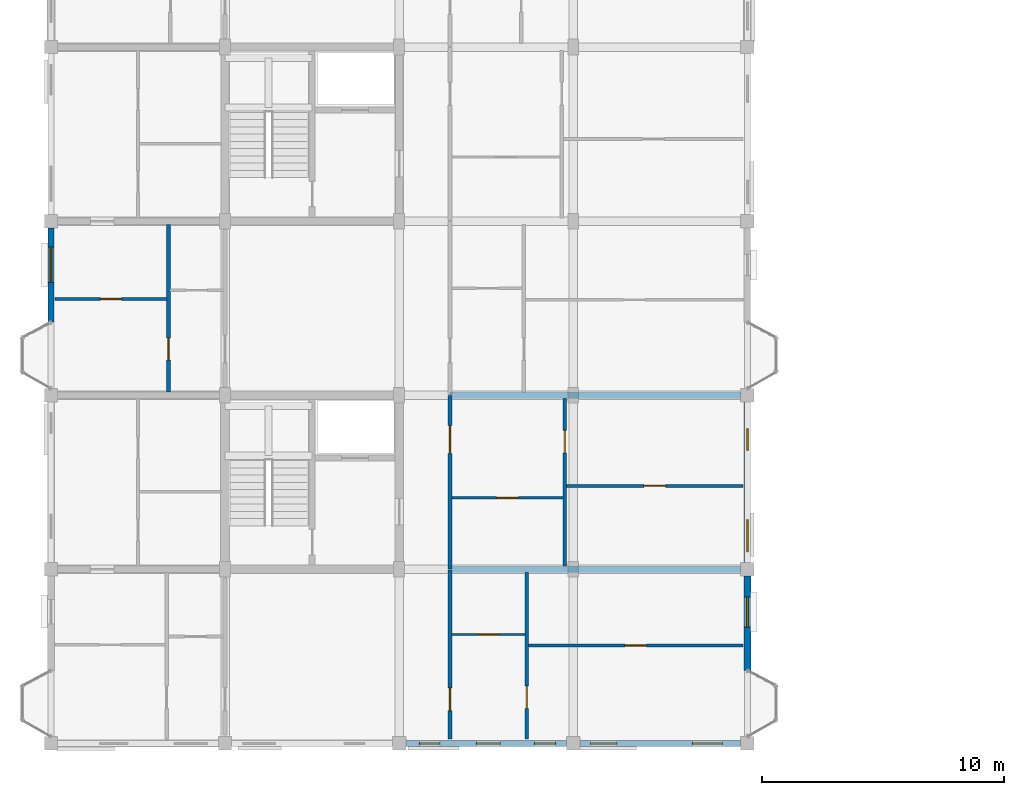
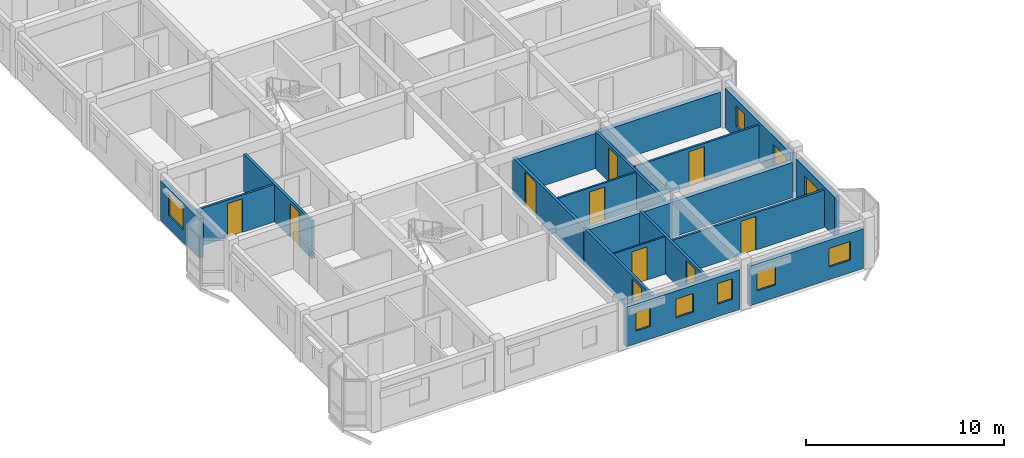
# One storey, part 51 of 77: 17 walls, 10 doors, 9 windows, 19 openings.
"""IFC4 building model written with IfcOpenShell, lengths in metres."""

import ifcopenshell
import ifcopenshell.guid

model = None  # the IFC model being written
_history = None  # IfcOwnerHistory: only IFC2X3 demands one
_inside = {}  # id of a spatial element -> (the spatial element, [elements in it])
_under = {}  # id of a project, library or spatial element -> (it, [spatial elements below it])
_declared = {}  # id of a project -> (the project, [libraries it declares])
_typed = {}  # id of a type object -> (the type object, [elements of that type])
_made_of = {}  # id of a material, layer set ... -> (it, [elements and type objects made of it])


def new_model(schema):
    """Start an empty IFC model of exactly this schema.

    Asked for "IFC4X3", IfcOpenShell would pick the latest addendum, in which some entities
    have other attributes; the version numbers below select the first issue.
    IFC2X3 requires an IfcOwnerHistory on every rooted entity: one is made here for all.
    """
    global model, _history
    if schema == "IFC4X3":
        model = ifcopenshell.file(schema_version=(4, 3, 0, 0))
    else:
        model = ifcopenshell.file(schema=schema)
    _inside.clear()
    _under.clear()
    _declared.clear()
    _typed.clear()
    _made_of.clear()
    _history = None
    if model.schema == "IFC2X3":
        org = make("IfcOrganization", Name="unknown")
        user = make(
            "IfcPersonAndOrganization",
            ThePerson=make("IfcPerson", FamilyName="unknown"),
            TheOrganization=org,
        )
        app = make(
            "IfcApplication",
            ApplicationDeveloper=org,
            Version="unknown",
            ApplicationFullName="unknown",
            ApplicationIdentifier="unknown",
        )
        _history = make(
            "IfcOwnerHistory",
            OwningUser=user,
            OwningApplication=app,
            ChangeAction="ADDED",
            CreationDate=0,
        )
    return model


def make(cls, **values):
    """One entity of the class cls with the attributes given. An attribute that is None is left unset."""
    return model.create_entity(
        cls, **{name: value for name, value in values.items() if value is not None}
    )


def rooted(cls, **values):
    """An entity with a GlobalId (a new one), such as an element, a storey or a relation."""
    return make(cls, GlobalId=ifcopenshell.guid.new(), OwnerHistory=_history, **values)


def si_unit(unit_type, name, prefix=None):
    """IfcSIUnit, for example si_unit("LENGTHUNIT", "METRE", prefix="MILLI")."""
    return make("IfcSIUnit", UnitType=unit_type, Prefix=prefix, Name=name)


def assignment(units):
    """IfcUnitAssignment: the units of a project."""
    return None if units is None else make("IfcUnitAssignment", Units=units)


def point(xyz):
    """IfcCartesianPoint."""
    return None if xyz is None else make("IfcCartesianPoint", Coordinates=xyz)


def direction(xyz):
    """IfcDirection."""
    return None if xyz is None else make("IfcDirection", DirectionRatios=xyz)


def frame(location, z_axis=None, x_axis=None):
    """IfcAxis2Placement3D, a coordinate frame: its origin and axes. An axis left out is left unset."""
    return make(
        "IfcAxis2Placement3D",
        Location=point(location),
        Axis=direction(z_axis),
        RefDirection=direction(x_axis),
    )


def frame_2d(location, x_axis=None):
    """IfcAxis2Placement2D, a coordinate frame in the plane: its origin and x axis."""
    return make(
        "IfcAxis2Placement2D", Location=point(location), RefDirection=direction(x_axis)
    )


def origin():
    """The frame at (0, 0, 0) with its axes left unset."""
    return frame((0.0, 0.0, 0.0))


def place(relative_to, where):
    """IfcLocalPlacement: puts the frame where relative to a parent placement (None: the world)."""
    return make(
        "IfcLocalPlacement", PlacementRelTo=relative_to, RelativePlacement=where
    )


def context(
    kind, dimensions, precision=None, world=None, true_north=None, identifier=None
):
    """IfcGeometricRepresentationContext, for example the 3D "Model" context."""
    return make(
        "IfcGeometricRepresentationContext",
        ContextIdentifier=identifier,
        ContextType=kind,
        CoordinateSpaceDimension=dimensions,
        Precision=precision,
        WorldCoordinateSystem=world,
        TrueNorth=true_north,
    )


def subcontext(parent, identifier, kind, view, scale=None):
    """IfcGeometricRepresentationSubContext, for example "Body" below "Model"."""
    return make(
        "IfcGeometricRepresentationSubContext",
        ContextIdentifier=identifier,
        ContextType=kind,
        ParentContext=parent,
        TargetScale=scale,
        TargetView=view,
    )


def project(units=None, contexts=None):
    """IfcProject with its units and contexts."""
    return rooted(
        "IfcProject",
        Name="project",
        RepresentationContexts=contexts,
        UnitsInContext=assignment(units),
    )


def spatial(cls, under=None, at=None, **own):
    """A site, building, storey or space (cls), placed at a placement, below another one or the project."""
    s = rooted(cls, ObjectPlacement=at, **own)
    if under is not None:
        _under.setdefault(under.id(), (under, []))[1].append(s)
    return s


def profile(cls, at=None, kind="AREA", **sizes):
    """A parametric profile (cls). Its sizes go by their IFC names, for example OverallWidth=200.0."""
    return make(cls, ProfileType=kind, Position=at, **sizes)


def rectangle(**sizes):
    """IfcRectangleProfileDef."""
    return profile("IfcRectangleProfileDef", **sizes)


def extrude(swept, where, along, depth):
    """IfcExtrudedAreaSolid: the profile swept, set in the frame where, extruded along a direction by depth."""
    return make(
        "IfcExtrudedAreaSolid",
        SweptArea=swept,
        Position=where,
        ExtrudedDirection=direction(along),
        Depth=depth,
    )


def shape(context_of_items, identifier, shape_type, items):
    """IfcShapeRepresentation: the items that make up one representation, for example the "Body"."""
    return make(
        "IfcShapeRepresentation",
        ContextOfItems=context_of_items,
        RepresentationIdentifier=identifier,
        RepresentationType=shape_type,
        Items=items,
    )


def material(Name=None, Category=None):
    """IfcMaterial."""
    return make("IfcMaterial", Name=Name, Category=Category)


def layer(
    of_material, thickness, ventilated=None, Name=None, Category=None, Priority=None
):
    """IfcMaterialLayer: one layer of a wall or slab, of a material (None: an air gap)."""
    return make(
        "IfcMaterialLayer",
        Material=of_material,
        LayerThickness=thickness,
        IsVentilated=ventilated,
        Name=Name,
        Category=Category,
        Priority=Priority,
    )


def layer_set(layers, Name=None):
    """IfcMaterialLayerSet."""
    return make("IfcMaterialLayerSet", MaterialLayers=layers, LayerSetName=Name)


def made_of(thing, what):
    """Note that an element or type object is made of a material, layer set ...; save() writes the relation."""
    if what is not None:
        _made_of.setdefault(what.id(), (what, []))[1].append(thing)
    return thing


def type_object(cls, material=None, **own):
    """A type object (cls), such as IfcWallType, which elements share."""
    return made_of(rooted(cls, **own), material)


def element(
    cls,
    number,
    at=None,
    inside=None,
    cuts=None,
    type_object=None,
    material=None,
    context=None,
    identifier="Body",
    shape_type=None,
    held_by="IfcProductDefinitionShape",
    body=None,
    shapes=None,
    **own,
):
    """One element of the class cls, such as IfcWall. Its Tag is "e" and its number.

    at: its placement. inside: the storey or other place that contains it. cuts: it is an
    opening in that element (IfcRelVoidsElement). A single representation is given by context,
    identifier, shape_type and body (its items); several are given by shapes. held_by: the class
    of the entity that holds the representations. save() writes the other relations.
    """
    e = rooted(cls, Tag="e%d" % number, ObjectPlacement=at, **own)
    if body is not None:
        shapes = [shape(context, identifier, shape_type, body)]
    if shapes is not None:
        e.Representation = make(held_by, Representations=shapes)
    if inside is not None:
        _inside.setdefault(inside.id(), (inside, []))[1].append(e)
    if cuts is not None:
        rooted(
            "IfcRelVoidsElement", RelatingBuildingElement=cuts, RelatedOpeningElement=e
        )
    if type_object is not None:
        _typed.setdefault(type_object.id(), (type_object, []))[1].append(e)
    return made_of(e, material)


def fill(opening, filler):
    """IfcRelFillsElement: the door or window that sits in an opening."""
    return rooted(
        "IfcRelFillsElement",
        RelatingOpeningElement=opening,
        RelatedBuildingElement=filler,
    )


def aggregate(whole, parts):
    """IfcRelAggregates: a whole, such as a stair, and the parts it consists of."""
    return rooted("IfcRelAggregates", RelatingObject=whole, RelatedObjects=parts)


def save(model, path):
    """Write the relations noted so far, then the file.

    IfcRelAggregates (storeys below a building ...), IfcRelContainedInSpatialStructure (elements
    in a storey), IfcRelDefinesByType, IfcRelAssociatesMaterial and IfcRelDeclares: one each for
    every whole, place, type object, material and project.
    """
    for whole, parts in _under.values():
        aggregate(whole, parts)
    for where, things in _inside.values():
        rooted(
            "IfcRelContainedInSpatialStructure",
            RelatedElements=things,
            RelatingStructure=where,
        )
    for kind, things in _typed.values():
        rooted("IfcRelDefinesByType", RelatedObjects=things, RelatingType=kind)
    for what, things in _made_of.values():
        rooted("IfcRelAssociatesMaterial", RelatedObjects=things, RelatingMaterial=what)
    for by, libraries in _declared.values():
        rooted("IfcRelDeclares", RelatingContext=by, RelatedDefinitions=libraries)
    model.write(path)


model = new_model("IFC4")

# Units and contexts
model_context = context("Model", 3, precision=1e-05, world=origin(), true_north=direction((0.0, 1.0)))
body_context = subcontext(model_context, "Body", "Model", "MODEL_VIEW")
ifc_project = project(units=[si_unit("LENGTHUNIT", "METRE"), si_unit("AREAUNIT", "SQUARE_METRE"), si_unit("VOLUMEUNIT", "CUBIC_METRE"), si_unit("PLANEANGLEUNIT", "RADIAN"), si_unit("MASSUNIT", "GRAM", prefix="KILO"), si_unit("THERMODYNAMICTEMPERATUREUNIT", "KELVIN"), si_unit("POWERUNIT", "WATT")], contexts=[model_context])

# Site, building, storey
site_placement = place(None, origin())
site = spatial("IfcSite", under=ifc_project, at=site_placement, CompositionType="ELEMENT")
building_placement = place(site_placement, origin())
building = spatial("IfcBuilding", under=site, at=building_placement, Name="Tavuni Mirador Residences", CompositionType="ELEMENT")
storey_placement = place(building_placement, frame((0.0, 0.0, 10.800048828125)))
storey = spatial("IfcBuildingStorey", under=building, at=storey_placement, Name="L03", CompositionType="ELEMENT", Elevation=10.800048828125)

# Wall, opening, door
ifc_material_1 = material(Name="Precast concrete C40/50", Category="concrete")
ifc_layer_1 = layer(ifc_material_1, 0.1650390625, Name="Precast concrete C40/50", Category="concrete")
ifc_layer_set_1 = layer_set([ifc_layer_1], Name="Precast concrete C40/50")
wall_type_1 = type_object("IfcWallType", Name="WT-CORR165", PredefinedType="PARTITIONING", material=ifc_layer_set_1)
wall_1_placement = place(storey_placement, frame((20.10009765625, 7.375, 0.0), z_axis=(0.0, 0.0, 1.0), x_axis=(0.0, 1.0, 0.0)))
wall_1 = element("IfcWall", 1, at=wall_1_placement, inside=storey, type_object=wall_type_1, Name="CORW-BLK-A-L03-0-00", PredefinedType="PARTITIONING", context=body_context, shape_type="SweptSolid", body=[
    extrude(rectangle(XDim=7.0048828125, YDim=0.1650390625, at=frame_2d((3.50244140625, 0.0))), origin(), (0.0, 0.0, 1.0), 2.304931640625),
])
opening_1_placement = place(wall_1_placement, frame((1.175048828125, 0.0, 0.0)))
opening_1 = element("IfcOpeningElement", 2, at=opening_1_placement, cuts=wall_1, Name="Opening D-19", PredefinedType="OPENING", context=body_context, shape_type="SweptSolid", body=[
    extrude(rectangle(XDim=0.93994140625, YDim=2.1201171875, at=frame_2d((0.469970703125, 1.06005859375))), frame((0.0, 0.092529296875, 0.0), z_axis=(0.0, -1.0, 0.0), x_axis=(1.0, 0.0, 0.0)), (0.0, 0.0, 1.0), 0.18505859375),
])
ifc_material_2 = material(Name="Solid core iroko timber", Category="wood")
door_type_1 = type_object("IfcDoorType", Name="DT-FD60-940", OperationType="NOTDEFINED", PredefinedType="DOOR", material=ifc_material_2)
door_1_placement = place(opening_1_placement, origin())
door_1 = element("IfcDoor", 3, at=door_1_placement, inside=storey, type_object=door_type_1, Name="DR-2413", OperationType="SINGLE_SWING_RIGHT", OverallHeight=2.1201171875, OverallWidth=0.93994140625, PredefinedType="DOOR", context=body_context, shape_type="SweptSolid", body=[
    extrude(rectangle(XDim=0.93994140625, YDim=2.1201171875, at=frame_2d((0.469970703125, 1.06005859375))), frame((0.0, 0.02490234375, 0.0), z_axis=(0.0, -1.0, 0.0), x_axis=(1.0, 0.0, 0.0)), (0.0, 0.0, 1.0), 0.050048828125),
])
fill(opening_1, door_1)

wall_2_placement = place(storey_placement, frame((20.10009765625, 14.419921875, 0.0), z_axis=(0.0, 0.0, 1.0), x_axis=(0.0, 1.0, 0.0)))
wall_2 = element("IfcWall", 4, at=wall_2_placement, inside=storey, type_object=wall_type_1, Name="CORW-BLK-A-L03-0-01", PredefinedType="PARTITIONING", context=body_context, shape_type="SweptSolid", body=[
    extrude(rectangle(XDim=7.16015625, YDim=0.1650390625, at=frame_2d((3.580078125, 0.0))), origin(), (0.0, 0.0, 1.0), 2.304931640625),
])
opening_2_placement = place(wall_2_placement, frame((4.780029296875, 0.0, 0.0)))
opening_2 = element("IfcOpeningElement", 5, at=opening_2_placement, cuts=wall_2, Name="Opening D-20", PredefinedType="OPENING", context=body_context, shape_type="SweptSolid", body=[
    extrude(rectangle(XDim=1.139892578125, YDim=2.179931640625, at=frame_2d((0.56982421875, 1.08984375))), frame((0.0, 0.092529296875, 0.0), z_axis=(0.0, -1.0, 0.0), x_axis=(1.0, 0.0, 0.0)), (0.0, 0.0, 1.0), 0.18505859375),
])
door_type_2 = type_object("IfcDoorType", Name="DT-FD60-1140", OperationType="NOTDEFINED", PredefinedType="DOOR", material=ifc_material_2)
door_2_placement = place(opening_2_placement, origin())
door_2 = element("IfcDoor", 6, at=door_2_placement, inside=storey, type_object=door_type_2, Name="DR-2414", OperationType="SINGLE_SWING_LEFT", OverallHeight=2.179931640625, OverallWidth=1.139892578125, PredefinedType="DOOR", context=body_context, shape_type="SweptSolid", body=[
    extrude(rectangle(XDim=1.139892578125, YDim=2.179931640625, at=frame_2d((0.56982421875, 1.08984375))), frame((0.0, 0.02490234375, 0.0), z_axis=(0.0, -1.0, 0.0), x_axis=(1.0, 0.0, 0.0)), (0.0, 0.0, 1.0), 0.050048828125),
])
fill(opening_2, door_2)

# Wall, openings, windows
ifc_material_3 = material(Name="Sgraffito lime-rendered precast concrete C40/50", Category="concrete")
ifc_layer_2 = layer(ifc_material_3, 0.2451171875, Name="Sgraffito lime-rendered precast concrete C40/50", Category="concrete")
ifc_layer_set_2 = layer_set([ifc_layer_2], Name="Sgraffito lime-rendered precast concrete C40/50")
wall_type_2 = type_object("IfcWallType", Name="WT-EXT-PC245", PredefinedType="SOLIDWALL", material=ifc_layer_set_2)
wall_3_placement = place(storey_placement, frame((25.47509765625, 7.199951171875, 0.0), z_axis=(0.0, 0.0, 1.0), x_axis=(1.0, 0.0, 0.0)))
wall_3 = element("IfcWall", 7, at=wall_3_placement, inside=storey, type_object=wall_type_2, Name="EW-BLK-A-L03-S03", PredefinedType="SOLIDWALL", context=body_context, shape_type="SweptSolid", body=[
    extrude(rectangle(XDim=6.64990234375, YDim=0.2451171875, at=frame_2d((3.324951171875, 0.0))), origin(), (0.0, 0.0, 1.0), 2.43994140625),
])
opening_3_placement = place(wall_3_placement, frame((0.449951171875, 0.0, 0.780029296875)))
opening_3 = element("IfcOpeningElement", 8, at=opening_3_placement, cuts=wall_3, Name="Opening WN-04", PredefinedType="OPENING", context=body_context, shape_type="SweptSolid", body=[
    extrude(rectangle(XDim=1.080078125, YDim=1.14990234375, at=frame_2d((0.5400390625, 0.574951171875))), frame((0.0, 0.132568359375, 0.0), z_axis=(0.0, -1.0, 0.0), x_axis=(1.0, 0.0, 0.0)), (0.0, 0.0, 1.0), 0.26513671875),
])
opening_4_placement = place(wall_3_placement, frame((4.64990234375, 0.0, 0.780029296875)))
opening_4 = element("IfcOpeningElement", 9, at=opening_4_placement, cuts=wall_3, Name="Opening WN-06", PredefinedType="OPENING", context=body_context, shape_type="SweptSolid", body=[
    extrude(rectangle(XDim=1.239990234375, YDim=1.14990234375, at=frame_2d((0.6201171875, 0.574951171875))), frame((0.0, 0.132568359375, 0.0), z_axis=(0.0, -1.0, 0.0), x_axis=(1.0, 0.0, 0.0)), (0.0, 0.0, 1.0), 0.26513671875),
])
ifc_material_4 = material(Name="Laminated solar-control glass", Category="glass")
window_type_1 = type_object("IfcWindowType", Name="WNT-04", PartitioningType="SINGLE_PANEL", PredefinedType="WINDOW", material=ifc_material_4)
window_1_placement = place(opening_3_placement, origin())
window_1 = element("IfcWindow", 10, at=window_1_placement, inside=storey, type_object=window_type_1, Name="WIN-0120", OverallHeight=1.14990234375, OverallWidth=1.080078125, PartitioningType="SINGLE_PANEL", PredefinedType="WINDOW", context=body_context, shape_type="SweptSolid", body=[
    extrude(rectangle(XDim=1.080078125, YDim=1.14990234375, at=frame_2d((0.5400390625, 0.574951171875))), frame((0.0, 0.030029296875, 0.0), z_axis=(0.0, -1.0, 0.0), x_axis=(1.0, 0.0, 0.0)), (0.0, 0.0, 1.0), 0.06005859375),
])
fill(opening_3, window_1)
window_type_2 = type_object("IfcWindowType", Name="WNT-06", PartitioningType="SINGLE_PANEL", PredefinedType="WINDOW", material=ifc_material_4)
window_2_placement = place(opening_4_placement, origin())
window_2 = element("IfcWindow", 11, at=window_2_placement, inside=storey, type_object=window_type_2, Name="WIN-0121", OverallHeight=1.14990234375, OverallWidth=1.239990234375, PartitioningType="SINGLE_PANEL", PredefinedType="WINDOW", context=body_context, shape_type="SweptSolid", body=[
    extrude(rectangle(XDim=1.239990234375, YDim=1.14990234375, at=frame_2d((0.6201171875, 0.574951171875))), frame((0.0, 0.030029296875, 0.0), z_axis=(0.0, -1.0, 0.0), x_axis=(1.0, 0.0, 0.0)), (0.0, 0.0, 1.0), 0.06005859375),
])
fill(opening_4, window_2)

ifc_layer_3 = layer(ifc_material_3, 0.2548828125, Name="Sgraffito lime-rendered precast concrete C40/50", Category="concrete")
ifc_layer_set_3 = layer_set([ifc_layer_3], Name="Sgraffito lime-rendered precast concrete C40/50")
wall_type_3 = type_object("IfcWallType", Name="WT-EXT-PC255", PredefinedType="SOLIDWALL", material=ifc_layer_set_3)
wall_4_placement = place(storey_placement, frame((18.27490234375, 7.199951171875, 0.0), z_axis=(0.0, 0.0, 1.0), x_axis=(1.0, 0.0, 0.0)))
wall_4 = element("IfcWall", 12, at=wall_4_placement, inside=storey, type_object=wall_type_3, Name="EW-BLK-A-L03-S02", PredefinedType="SOLIDWALL", context=body_context, shape_type="SweptSolid", body=[
    extrude(rectangle(XDim=6.650146484375, YDim=0.2548828125, at=frame_2d((3.3251953125, 0.0))), origin(), (0.0, 0.0, 1.0), 2.43994140625),
])
opening_5_placement = place(wall_4_placement, frame((0.5576171875, 0.0, 0.780029296875)))
opening_5 = element("IfcOpeningElement", 13, at=opening_5_placement, cuts=wall_4, Name="Opening WN-01", PredefinedType="OPENING", context=body_context, shape_type="SweptSolid", body=[
    extrude(rectangle(XDim=0.85009765625, YDim=1.14990234375, at=frame_2d((0.425048828125, 0.574951171875))), frame((0.0, 0.137451171875, 0.0), z_axis=(0.0, -1.0, 0.0), x_axis=(1.0, 0.0, 0.0)), (0.0, 0.0, 1.0), 0.27490234375),
])
opening_6_placement = place(wall_4_placement, frame((2.9150390625, 0.0, 0.780029296875)))
opening_6 = element("IfcOpeningElement", 14, at=opening_6_placement, cuts=wall_4, Name="Opening WN-03", PredefinedType="OPENING", context=body_context, shape_type="SweptSolid", body=[
    extrude(rectangle(XDim=1.0, YDim=1.14990234375, at=frame_2d((0.5, 0.574951171875))), frame((0.0, 0.137451171875, 0.0), z_axis=(0.0, -1.0, 0.0), x_axis=(1.0, 0.0, 0.0)), (0.0, 0.0, 1.0), 0.27490234375),
])
opening_7_placement = place(wall_4_placement, frame((5.3173828125, 0.0, 0.780029296875)))
opening_7 = element("IfcOpeningElement", 15, at=opening_7_placement, cuts=wall_4, Name="Opening WN-09", PredefinedType="OPENING", context=body_context, shape_type="SweptSolid", body=[
    extrude(rectangle(XDim=0.8798828125, YDim=1.260009765625, at=frame_2d((0.43994140625, 0.6298828125))), frame((0.0, 0.137451171875, 0.0), z_axis=(0.0, -1.0, 0.0), x_axis=(1.0, 0.0, 0.0)), (0.0, 0.0, 1.0), 0.27490234375),
])
window_type_3 = type_object("IfcWindowType", Name="WNT-01", PartitioningType="SINGLE_PANEL", PredefinedType="WINDOW", material=ifc_material_4)
window_3_placement = place(opening_5_placement, origin())
window_3 = element("IfcWindow", 16, at=window_3_placement, inside=storey, type_object=window_type_3, Name="WIN-0117", OverallHeight=1.14990234375, OverallWidth=0.85009765625, PartitioningType="SINGLE_PANEL", PredefinedType="WINDOW", context=body_context, shape_type="SweptSolid", body=[
    extrude(rectangle(XDim=0.85009765625, YDim=1.14990234375, at=frame_2d((0.425048828125, 0.574951171875))), frame((0.0, 0.030029296875, 0.0), z_axis=(0.0, -1.0, 0.0), x_axis=(1.0, 0.0, 0.0)), (0.0, 0.0, 1.0), 0.06005859375),
])
fill(opening_5, window_3)
window_type_4 = type_object("IfcWindowType", Name="WNT-03", PartitioningType="SINGLE_PANEL", PredefinedType="WINDOW", material=ifc_material_4)
window_4_placement = place(opening_6_placement, origin())
window_4 = element("IfcWindow", 17, at=window_4_placement, inside=storey, type_object=window_type_4, Name="WIN-0118", OverallHeight=1.14990234375, OverallWidth=1.0, PartitioningType="SINGLE_PANEL", PredefinedType="WINDOW", context=body_context, shape_type="SweptSolid", body=[
    extrude(rectangle(XDim=1.0, YDim=1.14990234375, at=frame_2d((0.5, 0.574951171875))), frame((0.0, 0.030029296875, 0.0), z_axis=(0.0, -1.0, 0.0), x_axis=(1.0, 0.0, 0.0)), (0.0, 0.0, 1.0), 0.06005859375),
])
fill(opening_6, window_4)
window_type_5 = type_object("IfcWindowType", Name="WNT-09", PartitioningType="SINGLE_PANEL", PredefinedType="WINDOW", material=ifc_material_4)
window_5_placement = place(opening_7_placement, origin())
window_5 = element("IfcWindow", 18, at=window_5_placement, inside=storey, type_object=window_type_5, Name="WIN-0119", OverallHeight=1.260009765625, OverallWidth=0.8798828125, PartitioningType="SINGLE_PANEL", PredefinedType="WINDOW", context=body_context, shape_type="SweptSolid", body=[
    extrude(rectangle(XDim=0.8798828125, YDim=1.260009765625, at=frame_2d((0.43994140625, 0.6298828125))), frame((0.0, 0.030029296875, 0.0), z_axis=(0.0, -1.0, 0.0), x_axis=(1.0, 0.0, 0.0)), (0.0, 0.0, 1.0), 0.06005859375),
])
fill(opening_7, window_5)

# Wall, opening, window
wall_5_placement = place(storey_placement, frame((3.60009765625, 28.52490234375, 0.0), z_axis=(0.0, 0.0, 1.0), x_axis=(0.0, -1.0, 0.0)))
wall_5 = element("IfcWall", 19, at=wall_5_placement, inside=storey, type_object=wall_type_3, Name="EW-BLK-A-L03-W02", PredefinedType="SOLIDWALL", context=body_context, shape_type="SweptSolid", body=[
    extrude(rectangle(XDim=3.90478515625, YDim=0.2548828125, at=frame_2d((1.952392578125, 0.0))), origin(), (0.0, 0.0, 1.0), 2.43994140625),
])
opening_8_placement = place(wall_5_placement, frame((0.802490234375, 0.0, 0.780029296875)))
opening_8 = element("IfcOpeningElement", 20, at=opening_8_placement, cuts=wall_5, Name="Opening WN-30", PredefinedType="OPENING", context=body_context, shape_type="SweptSolid", body=[
    extrude(rectangle(XDim=1.449951171875, YDim=1.43994140625, at=frame_2d((0.72509765625, 0.719970703125))), frame((0.0, 0.137451171875, 0.0), z_axis=(0.0, -1.0, 0.0), x_axis=(1.0, 0.0, 0.0)), (0.0, 0.0, 1.0), 0.27490234375),
])
window_type_6 = type_object("IfcWindowType", Name="WNT-30", PartitioningType="SINGLE_PANEL", PredefinedType="WINDOW", material=ifc_material_4)
window_6_placement = place(opening_8_placement, origin())
window_6 = element("IfcWindow", 21, at=window_6_placement, inside=storey, type_object=window_type_6, Name="WIN-0146", OverallHeight=1.43994140625, OverallWidth=1.449951171875, PartitioningType="SINGLE_PANEL", PredefinedType="WINDOW", context=body_context, shape_type="SweptSolid", body=[
    extrude(rectangle(XDim=1.449951171875, YDim=1.43994140625, at=frame_2d((0.72509765625, 0.719970703125))), frame((0.0, 0.030029296875, 0.0), z_axis=(0.0, -1.0, 0.0), x_axis=(1.0, 0.0, 0.0)), (0.0, 0.0, 1.0), 0.06005859375),
])
fill(opening_8, window_6)

# Wall, openings, windows
ifc_layer_4 = layer(ifc_material_3, 0.27490234375, Name="Sgraffito lime-rendered precast concrete C40/50", Category="concrete")
ifc_layer_set_4 = layer_set([ifc_layer_4], Name="Sgraffito lime-rendered precast concrete C40/50")
wall_type_4 = type_object("IfcWallType", Name="WT-EXT-PC275", PredefinedType="SOLIDWALL", material=ifc_layer_set_4)
wall_6_placement = place(storey_placement, frame((32.39990234375, 14.675048828125, 0.0), z_axis=(0.0, 0.0, 1.0), x_axis=(0.0, 1.0, 0.0)))
wall_6 = element("IfcWall", 22, at=wall_6_placement, inside=storey, type_object=wall_type_4, Name="EW-BLK-A-L03-E01", PredefinedType="SOLIDWALL", context=body_context, shape_type="SweptSolid", body=[
    extrude(rectangle(XDim=6.64990234375, YDim=0.27490234375, at=frame_2d((3.324951171875, 0.0))), origin(), (0.0, 0.0, 1.0), 2.43994140625),
])
opening_9_placement = place(wall_6_placement, frame((0.449951171875, 0.0, 0.780029296875)))
opening_9 = element("IfcOpeningElement", 23, at=opening_9_placement, cuts=wall_6, Name="Opening WN-07", PredefinedType="OPENING", context=body_context, shape_type="SweptSolid", body=[
    extrude(rectangle(XDim=1.320068359375, YDim=1.14990234375, at=frame_2d((0.66015625, 0.574951171875))), frame((0.0, 0.1474609375, 0.0), z_axis=(0.0, -1.0, 0.0), x_axis=(1.0, 0.0, 0.0)), (0.0, 0.0, 1.0), 0.294921875),
])
opening_10_placement = place(wall_6_placement, frame((4.64990234375, 0.0, 0.780029296875)))
opening_10 = element("IfcOpeningElement", 24, at=opening_10_placement, cuts=wall_6, Name="Opening WN-09", PredefinedType="OPENING", context=body_context, shape_type="SweptSolid", body=[
    extrude(rectangle(XDim=0.8798828125, YDim=1.260009765625, at=frame_2d((0.43994140625, 0.6298828125))), frame((0.0, 0.1474609375, 0.0), z_axis=(0.0, -1.0, 0.0), x_axis=(1.0, 0.0, 0.0)), (0.0, 0.0, 1.0), 0.294921875),
])
window_type_7 = type_object("IfcWindowType", Name="WNT-07", PartitioningType="SINGLE_PANEL", PredefinedType="WINDOW", material=ifc_material_4)
window_7_placement = place(opening_9_placement, origin())
window_7 = element("IfcWindow", 25, at=window_7_placement, inside=storey, type_object=window_type_7, Name="WIN-0123", OverallHeight=1.14990234375, OverallWidth=1.320068359375, PartitioningType="SINGLE_PANEL", PredefinedType="WINDOW", context=body_context, shape_type="SweptSolid", body=[
    extrude(rectangle(XDim=1.320068359375, YDim=1.14990234375, at=frame_2d((0.66015625, 0.574951171875))), frame((0.0, 0.030029296875, 0.0), z_axis=(0.0, -1.0, 0.0), x_axis=(1.0, 0.0, 0.0)), (0.0, 0.0, 1.0), 0.06005859375),
])
fill(opening_9, window_7)
window_8_placement = place(opening_10_placement, origin())
window_8 = element("IfcWindow", 26, at=window_8_placement, inside=storey, type_object=window_type_5, Name="WIN-0124", OverallHeight=1.260009765625, OverallWidth=0.8798828125, PartitioningType="SINGLE_PANEL", PredefinedType="WINDOW", context=body_context, shape_type="SweptSolid", body=[
    extrude(rectangle(XDim=0.8798828125, YDim=1.260009765625, at=frame_2d((0.43994140625, 0.6298828125))), frame((0.0, 0.030029296875, 0.0), z_axis=(0.0, -1.0, 0.0), x_axis=(1.0, 0.0, 0.0)), (0.0, 0.0, 1.0), 0.06005859375),
])
fill(opening_10, window_8)

# Wall, opening, window
ifc_layer_5 = layer(ifc_material_3, 0.2900390625, Name="Sgraffito lime-rendered precast concrete C40/50", Category="concrete")
ifc_layer_set_5 = layer_set([ifc_layer_5], Name="Sgraffito lime-rendered precast concrete C40/50")
wall_type_5 = type_object("IfcWallType", Name="WT-EXT-PC290", PredefinedType="SOLIDWALL", material=ifc_layer_set_5)
wall_7_placement = place(storey_placement, frame((32.39990234375, 10.219970703125, 0.0), z_axis=(0.0, 0.0, 1.0), x_axis=(0.0, 1.0, 0.0)))
wall_7 = element("IfcWall", 27, at=wall_7_placement, inside=storey, type_object=wall_type_5, Name="EW-BLK-A-L03-E00", PredefinedType="SOLIDWALL", context=body_context, shape_type="SweptSolid", body=[
    extrude(rectangle(XDim=3.905029296875, YDim=0.2900390625, at=frame_2d((1.95263671875, 0.0))), origin(), (0.0, 0.0, 1.0), 2.43994140625),
])
opening_11_placement = place(wall_7_placement, frame((1.79248046875, 0.0, 0.780029296875)))
opening_11 = element("IfcOpeningElement", 28, at=opening_11_placement, cuts=wall_7, Name="Opening WN-06", PredefinedType="OPENING", context=body_context, shape_type="SweptSolid", body=[
    extrude(rectangle(XDim=1.239990234375, YDim=1.14990234375, at=frame_2d((0.6201171875, 0.574951171875))), frame((0.0, 0.155029296875, 0.0), z_axis=(0.0, -1.0, 0.0), x_axis=(1.0, 0.0, 0.0)), (0.0, 0.0, 1.0), 0.31005859375),
])
window_9_placement = place(opening_11_placement, origin())
window_9 = element("IfcWindow", 29, at=window_9_placement, inside=storey, type_object=window_type_2, Name="WIN-0122", OverallHeight=1.14990234375, OverallWidth=1.239990234375, PartitioningType="SINGLE_PANEL", PredefinedType="WINDOW", context=body_context, shape_type="SweptSolid", body=[
    extrude(rectangle(XDim=1.239990234375, YDim=1.14990234375, at=frame_2d((0.6201171875, 0.574951171875))), frame((0.0, 0.030029296875, 0.0), z_axis=(0.0, -1.0, 0.0), x_axis=(1.0, 0.0, 0.0)), (0.0, 0.0, 1.0), 0.06005859375),
])
fill(opening_11, window_9)

# Wall, opening, door
ifc_material_5 = material(Name="Acoustic gypsum and concrete block partition", Category="concrete")
ifc_layer_6 = layer(ifc_material_5, 0.094970703125, Name="Acoustic gypsum and concrete block partition", Category="concrete")
ifc_layer_set_6 = layer_set([ifc_layer_6], Name="Acoustic gypsum and concrete block partition")
wall_type_6 = type_object("IfcWallType", Name="WT-PART095", PredefinedType="PARTITIONING", material=ifc_layer_set_6)
wall_8_placement = place(storey_placement, frame((20.18994140625, 11.699951171875, 0.0), z_axis=(0.0, 0.0, 1.0), x_axis=(1.0, 0.0, 0.0)))
wall_8 = element("IfcWall", 30, at=wall_8_placement, inside=storey, type_object=wall_type_6, Name="PW-BLK-A-L03-E00-IN1", PredefinedType="PARTITIONING", context=body_context, shape_type="SweptSolid", body=[
    extrude(rectangle(XDim=3.02001953125, YDim=0.094970703125, at=frame_2d((1.510009765625, 0.0))), origin(), (0.0, 0.0, 1.0), 2.304931640625),
])
opening_12_placement = place(wall_8_placement, frame((1.074951171875, 0.0, 0.0)))
opening_12 = element("IfcOpeningElement", 31, at=opening_12_placement, cuts=wall_8, Name="Opening D-10", PredefinedType="OPENING", context=body_context, shape_type="SweptSolid", body=[
    extrude(rectangle(XDim=0.8701171875, YDim=2.050048828125, at=frame_2d((0.43505859375, 1.02490234375))), frame((0.0, 0.0576171875, 0.0), z_axis=(0.0, -1.0, 0.0), x_axis=(1.0, 0.0, 0.0)), (0.0, 0.0, 1.0), 0.114990234375),
])
door_type_3 = type_object("IfcDoorType", Name="DT-WC870", OperationType="NOTDEFINED", PredefinedType="DOOR", material=ifc_material_2)
door_3_placement = place(opening_12_placement, origin())
door_3 = element("IfcDoor", 32, at=door_3_placement, inside=storey, type_object=door_type_3, Name="DR-3031", OperationType="SINGLE_SWING_LEFT", OverallHeight=2.050048828125, OverallWidth=0.8701171875, PredefinedType="DOOR", context=body_context, shape_type="SweptSolid", body=[
    extrude(rectangle(XDim=0.8701171875, YDim=2.050048828125, at=frame_2d((0.43505859375, 1.02490234375))), frame((0.0, 0.02490234375, 0.0), z_axis=(0.0, -1.0, 0.0), x_axis=(1.0, 0.0, 0.0)), (0.0, 0.0, 1.0), 0.050048828125),
])
fill(opening_12, door_3)

ifc_layer_7 = layer(ifc_material_5, 0.10498046875, Name="Acoustic gypsum and concrete block partition", Category="concrete")
ifc_layer_set_7 = layer_set([ifc_layer_7], Name="Acoustic gypsum and concrete block partition")
wall_type_7 = type_object("IfcWallType", Name="WT-PART105", PredefinedType="PARTITIONING", material=ifc_layer_set_7)
wall_9_placement = place(storey_placement, frame((20.18994140625, 17.35009765625, 0.0), z_axis=(0.0, 0.0, 1.0), x_axis=(1.0, 0.0, 0.0)))
wall_9 = element("IfcWall", 33, at=wall_9_placement, inside=storey, type_object=wall_type_7, Name="PW-BLK-A-L03-E01-IN1", PredefinedType="PARTITIONING", context=body_context, shape_type="SweptSolid", body=[
    extrude(rectangle(XDim=4.590087890625, YDim=0.10498046875, at=frame_2d((2.294921875, 0.0))), origin(), (0.0, 0.0, 1.0), 2.304931640625),
])
opening_13_placement = place(wall_9_placement, frame((1.844970703125, 0.0, 0.0)))
opening_13 = element("IfcOpeningElement", 34, at=opening_13_placement, cuts=wall_9, Name="Opening D-09", PredefinedType="OPENING", context=body_context, shape_type="SweptSolid", body=[
    extrude(rectangle(XDim=0.89990234375, YDim=2.050048828125, at=frame_2d((0.449951171875, 1.02490234375))), frame((0.0, 0.0625, 0.0), z_axis=(0.0, -1.0, 0.0), x_axis=(1.0, 0.0, 0.0)), (0.0, 0.0, 1.0), 0.125),
])
door_type_4 = type_object("IfcDoorType", Name="DT-WC900", OperationType="NOTDEFINED", PredefinedType="DOOR", material=ifc_material_2)
door_4_placement = place(opening_13_placement, origin())
door_4 = element("IfcDoor", 35, at=door_4_placement, inside=storey, type_object=door_type_4, Name="DR-3036", OperationType="SINGLE_SWING_RIGHT", OverallHeight=2.050048828125, OverallWidth=0.89990234375, PredefinedType="DOOR", context=body_context, shape_type="SweptSolid", body=[
    extrude(rectangle(XDim=0.89990234375, YDim=2.050048828125, at=frame_2d((0.449951171875, 1.02490234375))), frame((0.0, 0.02490234375, 0.0), z_axis=(0.0, -1.0, 0.0), x_axis=(1.0, 0.0, 0.0)), (0.0, 0.0, 1.0), 0.050048828125),
])
fill(opening_13, door_4)

ifc_layer_8 = layer(ifc_material_5, 0.114990234375, Name="Acoustic gypsum and concrete block partition", Category="concrete")
ifc_layer_set_8 = layer_set([ifc_layer_8], Name="Acoustic gypsum and concrete block partition")
wall_type_8 = type_object("IfcWallType", Name="WT-PART115", PredefinedType="PARTITIONING", material=ifc_layer_set_8)
wall_10_placement = place(storey_placement, frame((24.919921875, 17.85009765625, 0.0), z_axis=(0.0, 0.0, 1.0), x_axis=(1.0, 0.0, 0.0)))
wall_10 = element("IfcWall", 36, at=wall_10_placement, inside=storey, type_object=wall_type_8, Name="PW-BLK-A-L03-E01-OUT", PredefinedType="PARTITIONING", context=body_context, shape_type="SweptSolid", body=[
    extrude(rectangle(XDim=7.30517578125, YDim=0.114990234375, at=frame_2d((3.652587890625, 0.0))), origin(), (0.0, 0.0, 1.0), 2.304931640625),
])
opening_14_placement = place(wall_10_placement, frame((3.202392578125, 0.0, 0.0)))
opening_14 = element("IfcOpeningElement", 37, at=opening_14_placement, cuts=wall_10, Name="Opening D-07", PredefinedType="OPENING", context=body_context, shape_type="SweptSolid", body=[
    extrude(rectangle(XDim=0.89990234375, YDim=2.10009765625, at=frame_2d((0.449951171875, 1.050048828125))), frame((0.0, 0.0673828125, 0.0), z_axis=(0.0, -1.0, 0.0), x_axis=(1.0, 0.0, 0.0)), (0.0, 0.0, 1.0), 0.135009765625),
])
door_type_5 = type_object("IfcDoorType", Name="DT-BED900", OperationType="NOTDEFINED", PredefinedType="DOOR", material=ifc_material_2)
door_5_placement = place(opening_14_placement, origin())
door_5 = element("IfcDoor", 38, at=door_5_placement, inside=storey, type_object=door_type_5, Name="DR-3035", OperationType="SINGLE_SWING_LEFT", OverallHeight=2.10009765625, OverallWidth=0.89990234375, PredefinedType="DOOR", context=body_context, shape_type="SweptSolid", body=[
    extrude(rectangle(XDim=0.89990234375, YDim=2.10009765625, at=frame_2d((0.449951171875, 1.050048828125))), frame((0.0, 0.02490234375, 0.0), z_axis=(0.0, -1.0, 0.0), x_axis=(1.0, 0.0, 0.0)), (0.0, 0.0, 1.0), 0.050048828125),
])
fill(opening_14, door_5)

ifc_layer_9 = layer(ifc_material_5, 0.125, Name="Acoustic gypsum and concrete block partition", Category="concrete")
ifc_layer_set_9 = layer_set([ifc_layer_9], Name="Acoustic gypsum and concrete block partition")
wall_type_9 = type_object("IfcWallType", Name="WT-PART125", PredefinedType="PARTITIONING", material=ifc_layer_set_9)
wall_11_placement = place(storey_placement, frame((23.35009765625, 11.25, 0.0), z_axis=(0.0, 0.0, 1.0), x_axis=(1.0, 0.0, 0.0)))
wall_11 = element("IfcWall", 39, at=wall_11_placement, inside=storey, type_object=wall_type_9, Name="PW-BLK-A-L03-E00-OUT", PredefinedType="PARTITIONING", context=body_context, shape_type="SweptSolid", body=[
    extrude(rectangle(XDim=8.875, YDim=0.125, at=frame_2d((4.4375, 0.0))), origin(), (0.0, 0.0, 1.0), 2.304931640625),
])
opening_15_placement = place(wall_11_placement, frame((3.99755859375, 0.0, 0.0)))
opening_15 = element("IfcOpeningElement", 40, at=opening_15_placement, cuts=wall_11, Name="Opening D-08", PredefinedType="OPENING", context=body_context, shape_type="SweptSolid", body=[
    extrude(rectangle(XDim=0.8798828125, YDim=2.080078125, at=frame_2d((0.43994140625, 1.0400390625))), frame((0.0, 0.072509765625, 0.0), z_axis=(0.0, -1.0, 0.0), x_axis=(1.0, 0.0, 0.0)), (0.0, 0.0, 1.0), 0.14501953125),
])
door_type_6 = type_object("IfcDoorType", Name="DT-BED880", OperationType="NOTDEFINED", PredefinedType="DOOR", material=ifc_material_2)
door_6_placement = place(opening_15_placement, origin())
door_6 = element("IfcDoor", 41, at=door_6_placement, inside=storey, type_object=door_type_6, Name="DR-3030", OperationType="SINGLE_SWING_RIGHT", OverallHeight=2.080078125, OverallWidth=0.8798828125, PredefinedType="DOOR", context=body_context, shape_type="SweptSolid", body=[
    extrude(rectangle(XDim=0.8798828125, YDim=2.080078125, at=frame_2d((0.43994140625, 1.0400390625))), frame((0.0, 0.02490234375, 0.0), z_axis=(0.0, -1.0, 0.0), x_axis=(1.0, 0.0, 0.0)), (0.0, 0.0, 1.0), 0.050048828125),
])
fill(opening_15, door_6)

wall_12_placement = place(storey_placement, frame((3.77490234375, 25.580078125, 0.0), z_axis=(0.0, 0.0, 1.0), x_axis=(1.0, 0.0, 0.0)))
wall_12 = element("IfcWall", 42, at=wall_12_placement, inside=storey, type_object=wall_type_9, Name="PW-BLK-A-L03-W02-OUT", PredefinedType="PARTITIONING", context=body_context, shape_type="SweptSolid", body=[
    extrude(rectangle(XDim=4.614990234375, YDim=0.125, at=frame_2d((2.3076171875, 0.0))), origin(), (0.0, 0.0, 1.0), 2.304931640625),
])
opening_16_placement = place(wall_12_placement, frame((1.867431640625, 0.0, 0.0)))
opening_16 = element("IfcOpeningElement", 43, at=opening_16_placement, cuts=wall_12, Name="Opening D-08", PredefinedType="OPENING", context=body_context, shape_type="SweptSolid", body=[
    extrude(rectangle(XDim=0.8798828125, YDim=2.080078125, at=frame_2d((0.43994140625, 1.0400390625))), frame((0.0, 0.072509765625, 0.0), z_axis=(0.0, -1.0, 0.0), x_axis=(1.0, 0.0, 0.0)), (0.0, 0.0, 1.0), 0.14501953125),
])
door_7_placement = place(opening_16_placement, origin())
door_7 = element("IfcDoor", 44, at=door_7_placement, inside=storey, type_object=door_type_6, Name="DR-3038", OperationType="SINGLE_SWING_RIGHT", OverallHeight=2.080078125, OverallWidth=0.8798828125, PredefinedType="DOOR", context=body_context, shape_type="SweptSolid", body=[
    extrude(rectangle(XDim=0.8798828125, YDim=2.080078125, at=frame_2d((0.43994140625, 1.0400390625))), frame((0.0, 0.02490234375, 0.0), z_axis=(0.0, -1.0, 0.0), x_axis=(1.0, 0.0, 0.0)), (0.0, 0.0, 1.0), 0.050048828125),
])
fill(opening_16, door_7)

ifc_layer_10 = layer(ifc_material_5, 0.139892578125, Name="Acoustic gypsum and concrete block partition", Category="concrete")
ifc_layer_set_10 = layer_set([ifc_layer_10], Name="Acoustic gypsum and concrete block partition")
wall_type_10 = type_object("IfcWallType", Name="WT-PART140", PredefinedType="PARTITIONING", material=ifc_layer_set_10)
wall_13_placement = place(storey_placement, frame((24.85009765625, 14.5400390625, 0.0), z_axis=(0.0, 0.0, 1.0), x_axis=(0.0, 1.0, 0.0)))
wall_13 = element("IfcWall", 45, at=wall_13_placement, inside=storey, type_object=wall_type_10, Name="PW-BLK-A-L03-E01-MID", PredefinedType="PARTITIONING", context=body_context, shape_type="SweptSolid", body=[
    extrude(rectangle(XDim=6.919921875, YDim=0.139892578125, at=frame_2d((3.4599609375, 0.0))), origin(), (0.0, 0.0, 1.0), 2.304931640625),
])
opening_17_placement = place(wall_13_placement, frame((4.659912109375, 0.0, 0.0)))
opening_17 = element("IfcOpeningElement", 46, at=opening_17_placement, cuts=wall_13, Name="Opening D-05", PredefinedType="OPENING", context=body_context, shape_type="SweptSolid", body=[
    extrude(rectangle(XDim=0.949951171875, YDim=2.10009765625, at=frame_2d((0.47509765625, 1.050048828125))), frame((0.0, 0.080078125, 0.0), z_axis=(0.0, -1.0, 0.0), x_axis=(1.0, 0.0, 0.0)), (0.0, 0.0, 1.0), 0.159912109375),
])
door_type_7 = type_object("IfcDoorType", Name="DT-INT950", OperationType="NOTDEFINED", PredefinedType="DOOR", material=ifc_material_2)
door_8_placement = place(opening_17_placement, origin())
door_8 = element("IfcDoor", 47, at=door_8_placement, inside=storey, type_object=door_type_7, Name="DR-3037", OperationType="SINGLE_SWING_LEFT", OverallHeight=2.10009765625, OverallWidth=0.949951171875, PredefinedType="DOOR", context=body_context, shape_type="SweptSolid", body=[
    extrude(rectangle(XDim=0.949951171875, YDim=2.10009765625, at=frame_2d((0.47509765625, 1.050048828125))), frame((0.0, 0.02490234375, 0.0), z_axis=(0.0, -1.0, 0.0), x_axis=(1.0, 0.0, 0.0)), (0.0, 0.0, 1.0), 0.050048828125),
])
fill(opening_17, door_8)

ifc_layer_11 = layer(ifc_material_5, 0.14990234375, Name="Acoustic gypsum and concrete block partition", Category="concrete")
ifc_layer_set_11 = layer_set([ifc_layer_11], Name="Acoustic gypsum and concrete block partition")
wall_type_11 = type_object("IfcWallType", Name="WT-PART150", PredefinedType="PARTITIONING", material=ifc_layer_set_11)
wall_14_placement = place(storey_placement, frame((23.280029296875, 7.375, 0.0), z_axis=(0.0, 0.0, 1.0), x_axis=(0.0, 1.0, 0.0)))
wall_14 = element("IfcWall", 48, at=wall_14_placement, inside=storey, type_object=wall_type_11, Name="PW-BLK-A-L03-E00-MID", PredefinedType="PARTITIONING", context=body_context, shape_type="SweptSolid", body=[
    extrude(rectangle(XDim=6.885009765625, YDim=0.14990234375, at=frame_2d((3.4423828125, 0.0))), origin(), (0.0, 0.0, 1.0), 2.304931640625),
])
opening_18_placement = place(wall_14_placement, frame((1.27490234375, 0.0, 0.0)))
opening_18 = element("IfcOpeningElement", 49, at=opening_18_placement, cuts=wall_14, Name="Opening D-06", PredefinedType="OPENING", context=body_context, shape_type="SweptSolid", body=[
    extrude(rectangle(XDim=0.919921875, YDim=2.10009765625, at=frame_2d((0.4599609375, 1.050048828125))), frame((0.0, 0.0849609375, 0.0), z_axis=(0.0, -1.0, 0.0), x_axis=(1.0, 0.0, 0.0)), (0.0, 0.0, 1.0), 0.169921875),
])
door_type_8 = type_object("IfcDoorType", Name="DT-INT920", OperationType="NOTDEFINED", PredefinedType="DOOR", material=ifc_material_2)
door_9_placement = place(opening_18_placement, origin())
door_9 = element("IfcDoor", 50, at=door_9_placement, inside=storey, type_object=door_type_8, Name="DR-3032", OperationType="SINGLE_SWING_RIGHT", OverallHeight=2.10009765625, OverallWidth=0.919921875, PredefinedType="DOOR", context=body_context, shape_type="SweptSolid", body=[
    extrude(rectangle(XDim=0.919921875, YDim=2.10009765625, at=frame_2d((0.4599609375, 1.050048828125))), frame((0.0, 0.02490234375, 0.0), z_axis=(0.0, -1.0, 0.0), x_axis=(1.0, 0.0, 0.0)), (0.0, 0.0, 1.0), 0.050048828125),
])
fill(opening_18, door_9)

wall_15_placement = place(storey_placement, frame((8.4599609375, 21.739990234375, 0.0), z_axis=(0.0, 0.0, 1.0), x_axis=(0.0, 1.0, 0.0)))
wall_15 = element("IfcWall", 51, at=wall_15_placement, inside=storey, type_object=wall_type_11, Name="PW-BLK-A-L03-W02-MID", PredefinedType="PARTITIONING", context=body_context, shape_type="SweptSolid", body=[
    extrude(rectangle(XDim=6.919921875, YDim=0.14990234375, at=frame_2d((3.4599609375, 0.0))), origin(), (0.0, 0.0, 1.0), 2.304931640625),
])
opening_19_placement = place(wall_15_placement, frame((1.31005859375, 0.0, 0.0)))
opening_19 = element("IfcOpeningElement", 52, at=opening_19_placement, cuts=wall_15, Name="Opening D-06", PredefinedType="OPENING", context=body_context, shape_type="SweptSolid", body=[
    extrude(rectangle(XDim=0.919921875, YDim=2.10009765625, at=frame_2d((0.4599609375, 1.050048828125))), frame((0.0, 0.0849609375, 0.0), z_axis=(0.0, -1.0, 0.0), x_axis=(1.0, 0.0, 0.0)), (0.0, 0.0, 1.0), 0.169921875),
])
door_10_placement = place(opening_19_placement, origin())
door_10 = element("IfcDoor", 53, at=door_10_placement, inside=storey, type_object=door_type_8, Name="DR-3040", OperationType="SINGLE_SWING_RIGHT", OverallHeight=2.10009765625, OverallWidth=0.919921875, PredefinedType="DOOR", context=body_context, shape_type="SweptSolid", body=[
    extrude(rectangle(XDim=0.919921875, YDim=2.10009765625, at=frame_2d((0.4599609375, 1.050048828125))), frame((0.0, 0.02490234375, 0.0), z_axis=(0.0, -1.0, 0.0), x_axis=(1.0, 0.0, 0.0)), (0.0, 0.0, 1.0), 0.050048828125),
])
fill(opening_19, door_10)

# Walls
ifc_layer_12 = layer(ifc_material_1, 0.264892578125, Name="Precast concrete C40/50", Category="concrete")
ifc_layer_set_12 = layer_set([ifc_layer_12], Name="Precast concrete C40/50")
wall_type_12 = type_object("IfcWallType", Name="WT-XW265", PredefinedType="SOLIDWALL", material=ifc_layer_set_12)
for number, where, z_axis, x_axis, name in (
    (54, (20.10009765625, 14.39990234375, 0.0), (0.0, 0.0, 1.0), (1.0, 0.0, 0.0), "XW-BLK-A-L03-E-01"),
    (55, (20.10009765625, 21.60009765625, 0.0), (0.0, 0.0, 1.0), (1.0, 0.0, 0.0), "XW-BLK-A-L03-E-02"),
):
    element("IfcWall", number, at=place(storey_placement, frame(where, z_axis=z_axis, x_axis=x_axis)), inside=storey, type_object=wall_type_12, Name=name, PredefinedType="SOLIDWALL", context=body_context, shape_type="SweptSolid", body=[
        extrude(rectangle(XDim=12.02490234375, YDim=0.264892578125, at=frame_2d((6.012451171875, 0.0))), origin(), (0.0, 0.0, 1.0), 2.169921875),
    ])

save(model, "model.ifc")
